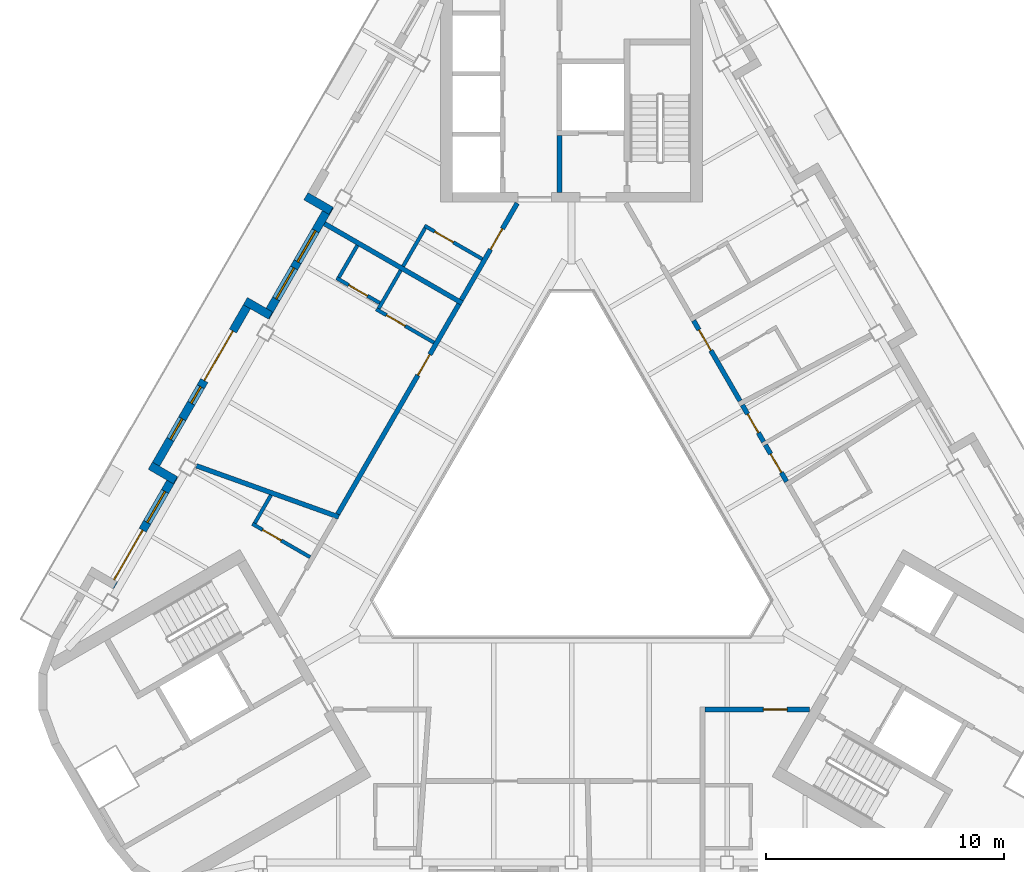
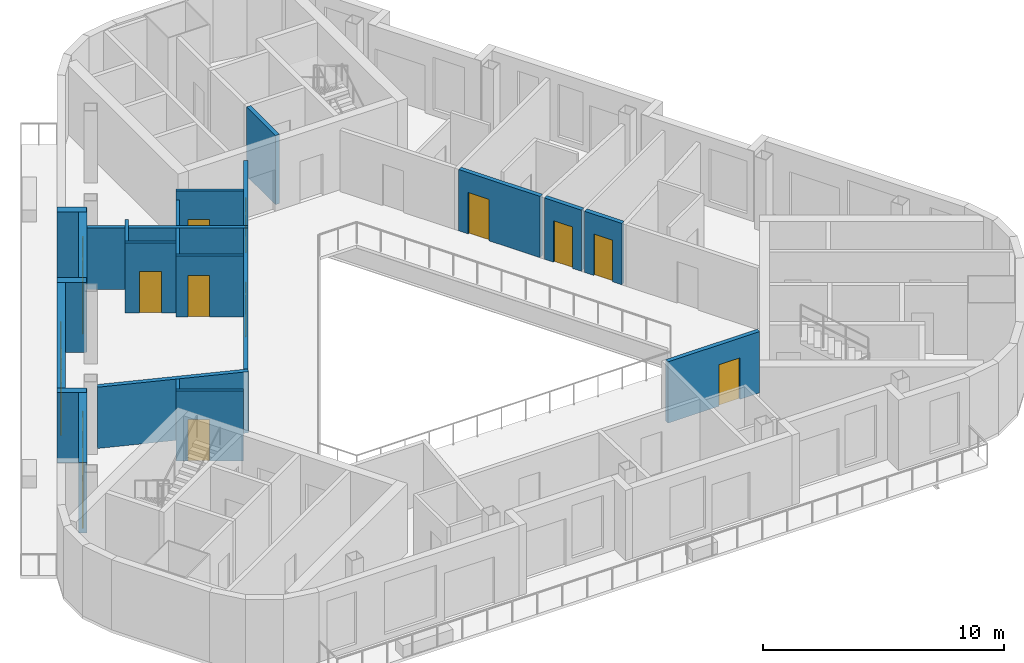
# One storey, part 4 of 11: 23 walls, 12 doors, 5 windows, 17 openings.
"""IFC4 building model written with IfcOpenShell, lengths in metres."""

import ifcopenshell
import ifcopenshell.guid

model = None  # the IFC model being written
_history = None  # IfcOwnerHistory: only IFC2X3 demands one
_inside = {}  # id of a spatial element -> (the spatial element, [elements in it])
_under = {}  # id of a project, library or spatial element -> (it, [spatial elements below it])
_declared = {}  # id of a project -> (the project, [libraries it declares])
_typed = {}  # id of a type object -> (the type object, [elements of that type])
_made_of = {}  # id of a material, layer set ... -> (it, [elements and type objects made of it])


def new_model(schema):
    """Start an empty IFC model of exactly this schema.

    Asked for "IFC4X3", IfcOpenShell would pick the latest addendum, in which some entities
    have other attributes; the version numbers below select the first issue.
    IFC2X3 requires an IfcOwnerHistory on every rooted entity: one is made here for all.
    """
    global model, _history
    if schema == "IFC4X3":
        model = ifcopenshell.file(schema_version=(4, 3, 0, 0))
    else:
        model = ifcopenshell.file(schema=schema)
    _inside.clear()
    _under.clear()
    _declared.clear()
    _typed.clear()
    _made_of.clear()
    _history = None
    if model.schema == "IFC2X3":
        org = make("IfcOrganization", Name="unknown")
        user = make(
            "IfcPersonAndOrganization",
            ThePerson=make("IfcPerson", FamilyName="unknown"),
            TheOrganization=org,
        )
        app = make(
            "IfcApplication",
            ApplicationDeveloper=org,
            Version="unknown",
            ApplicationFullName="unknown",
            ApplicationIdentifier="unknown",
        )
        _history = make(
            "IfcOwnerHistory",
            OwningUser=user,
            OwningApplication=app,
            ChangeAction="ADDED",
            CreationDate=0,
        )
    return model


def make(cls, **values):
    """One entity of the class cls with the attributes given. An attribute that is None is left unset."""
    return model.create_entity(
        cls, **{name: value for name, value in values.items() if value is not None}
    )


def rooted(cls, **values):
    """An entity with a GlobalId (a new one), such as an element, a storey or a relation."""
    return make(cls, GlobalId=ifcopenshell.guid.new(), OwnerHistory=_history, **values)


def si_unit(unit_type, name, prefix=None):
    """IfcSIUnit, for example si_unit("LENGTHUNIT", "METRE", prefix="MILLI")."""
    return make("IfcSIUnit", UnitType=unit_type, Prefix=prefix, Name=name)


def assignment(units):
    """IfcUnitAssignment: the units of a project."""
    return None if units is None else make("IfcUnitAssignment", Units=units)


def point(xyz):
    """IfcCartesianPoint."""
    return None if xyz is None else make("IfcCartesianPoint", Coordinates=xyz)


def direction(xyz):
    """IfcDirection."""
    return None if xyz is None else make("IfcDirection", DirectionRatios=xyz)


def frame(location, z_axis=None, x_axis=None):
    """IfcAxis2Placement3D, a coordinate frame: its origin and axes. An axis left out is left unset."""
    return make(
        "IfcAxis2Placement3D",
        Location=point(location),
        Axis=direction(z_axis),
        RefDirection=direction(x_axis),
    )


def frame_2d(location, x_axis=None):
    """IfcAxis2Placement2D, a coordinate frame in the plane: its origin and x axis."""
    return make(
        "IfcAxis2Placement2D", Location=point(location), RefDirection=direction(x_axis)
    )


def origin():
    """The frame at (0, 0, 0) with its axes left unset."""
    return frame((0.0, 0.0, 0.0))


def place(relative_to, where):
    """IfcLocalPlacement: puts the frame where relative to a parent placement (None: the world)."""
    return make(
        "IfcLocalPlacement", PlacementRelTo=relative_to, RelativePlacement=where
    )


def context(
    kind, dimensions, precision=None, world=None, true_north=None, identifier=None
):
    """IfcGeometricRepresentationContext, for example the 3D "Model" context."""
    return make(
        "IfcGeometricRepresentationContext",
        ContextIdentifier=identifier,
        ContextType=kind,
        CoordinateSpaceDimension=dimensions,
        Precision=precision,
        WorldCoordinateSystem=world,
        TrueNorth=true_north,
    )


def subcontext(parent, identifier, kind, view, scale=None):
    """IfcGeometricRepresentationSubContext, for example "Body" below "Model"."""
    return make(
        "IfcGeometricRepresentationSubContext",
        ContextIdentifier=identifier,
        ContextType=kind,
        ParentContext=parent,
        TargetScale=scale,
        TargetView=view,
    )


def project(units=None, contexts=None):
    """IfcProject with its units and contexts."""
    return rooted(
        "IfcProject",
        Name="project",
        RepresentationContexts=contexts,
        UnitsInContext=assignment(units),
    )


def spatial(cls, under=None, at=None, **own):
    """A site, building, storey or space (cls), placed at a placement, below another one or the project."""
    s = rooted(cls, ObjectPlacement=at, **own)
    if under is not None:
        _under.setdefault(under.id(), (under, []))[1].append(s)
    return s


def profile(cls, at=None, kind="AREA", **sizes):
    """A parametric profile (cls). Its sizes go by their IFC names, for example OverallWidth=200.0."""
    return make(cls, ProfileType=kind, Position=at, **sizes)


def rectangle(**sizes):
    """IfcRectangleProfileDef."""
    return profile("IfcRectangleProfileDef", **sizes)


def extrude(swept, where, along, depth):
    """IfcExtrudedAreaSolid: the profile swept, set in the frame where, extruded along a direction by depth."""
    return make(
        "IfcExtrudedAreaSolid",
        SweptArea=swept,
        Position=where,
        ExtrudedDirection=direction(along),
        Depth=depth,
    )


def shape(context_of_items, identifier, shape_type, items):
    """IfcShapeRepresentation: the items that make up one representation, for example the "Body"."""
    return make(
        "IfcShapeRepresentation",
        ContextOfItems=context_of_items,
        RepresentationIdentifier=identifier,
        RepresentationType=shape_type,
        Items=items,
    )


def material(Name=None, Category=None):
    """IfcMaterial."""
    return make("IfcMaterial", Name=Name, Category=Category)


def layer(
    of_material, thickness, ventilated=None, Name=None, Category=None, Priority=None
):
    """IfcMaterialLayer: one layer of a wall or slab, of a material (None: an air gap)."""
    return make(
        "IfcMaterialLayer",
        Material=of_material,
        LayerThickness=thickness,
        IsVentilated=ventilated,
        Name=Name,
        Category=Category,
        Priority=Priority,
    )


def layer_set(layers, Name=None):
    """IfcMaterialLayerSet."""
    return make("IfcMaterialLayerSet", MaterialLayers=layers, LayerSetName=Name)


def made_of(thing, what):
    """Note that an element or type object is made of a material, layer set ...; save() writes the relation."""
    if what is not None:
        _made_of.setdefault(what.id(), (what, []))[1].append(thing)
    return thing


def type_object(cls, material=None, **own):
    """A type object (cls), such as IfcWallType, which elements share."""
    return made_of(rooted(cls, **own), material)


def element(
    cls,
    number,
    at=None,
    inside=None,
    cuts=None,
    type_object=None,
    material=None,
    context=None,
    identifier="Body",
    shape_type=None,
    held_by="IfcProductDefinitionShape",
    body=None,
    shapes=None,
    **own,
):
    """One element of the class cls, such as IfcWall. Its Tag is "e" and its number.

    at: its placement. inside: the storey or other place that contains it. cuts: it is an
    opening in that element (IfcRelVoidsElement). A single representation is given by context,
    identifier, shape_type and body (its items); several are given by shapes. held_by: the class
    of the entity that holds the representations. save() writes the other relations.
    """
    e = rooted(cls, Tag="e%d" % number, ObjectPlacement=at, **own)
    if body is not None:
        shapes = [shape(context, identifier, shape_type, body)]
    if shapes is not None:
        e.Representation = make(held_by, Representations=shapes)
    if inside is not None:
        _inside.setdefault(inside.id(), (inside, []))[1].append(e)
    if cuts is not None:
        rooted(
            "IfcRelVoidsElement", RelatingBuildingElement=cuts, RelatedOpeningElement=e
        )
    if type_object is not None:
        _typed.setdefault(type_object.id(), (type_object, []))[1].append(e)
    return made_of(e, material)


def fill(opening, filler):
    """IfcRelFillsElement: the door or window that sits in an opening."""
    return rooted(
        "IfcRelFillsElement",
        RelatingOpeningElement=opening,
        RelatedBuildingElement=filler,
    )


def aggregate(whole, parts):
    """IfcRelAggregates: a whole, such as a stair, and the parts it consists of."""
    return rooted("IfcRelAggregates", RelatingObject=whole, RelatedObjects=parts)


def save(model, path):
    """Write the relations noted so far, then the file.

    IfcRelAggregates (storeys below a building ...), IfcRelContainedInSpatialStructure (elements
    in a storey), IfcRelDefinesByType, IfcRelAssociatesMaterial and IfcRelDeclares: one each for
    every whole, place, type object, material and project.
    """
    for whole, parts in _under.values():
        aggregate(whole, parts)
    for where, things in _inside.values():
        rooted(
            "IfcRelContainedInSpatialStructure",
            RelatedElements=things,
            RelatingStructure=where,
        )
    for kind, things in _typed.values():
        rooted("IfcRelDefinesByType", RelatedObjects=things, RelatingType=kind)
    for what, things in _made_of.values():
        rooted("IfcRelAssociatesMaterial", RelatedObjects=things, RelatingMaterial=what)
    for by, libraries in _declared.values():
        rooted("IfcRelDeclares", RelatingContext=by, RelatedDefinitions=libraries)
    model.write(path)


model = new_model("IFC4")

# Units and contexts
model_context = context("Model", 3, precision=1e-05, world=origin(), true_north=direction((0.0, 1.0)))
body_context = subcontext(model_context, "Body", "Model", "MODEL_VIEW")
ifc_project = project(units=[si_unit("LENGTHUNIT", "METRE"), si_unit("AREAUNIT", "SQUARE_METRE"), si_unit("VOLUMEUNIT", "CUBIC_METRE"), si_unit("PLANEANGLEUNIT", "RADIAN"), si_unit("MASSUNIT", "GRAM", prefix="KILO")], contexts=[model_context])

# Site, building, storey
site_placement = place(None, origin())
site = spatial("IfcSite", under=ifc_project, at=site_placement, CompositionType="ELEMENT")
building_placement = place(site_placement, origin())
building = spatial("IfcBuilding", under=site, at=building_placement, Name="Apuvela Tower Hotel", CompositionType="ELEMENT")
storey_placement = place(building_placement, frame((0.0, 0.0, 317.0)))
storey = spatial("IfcBuildingStorey", under=building, at=storey_placement, Name="L79", CompositionType="ELEMENT", Elevation=317.0)

# Walls
ifc_material_1 = material(Name="Concrete C50/60", Category="concrete")
ifc_layer_1 = layer(ifc_material_1, 0.199951171875)
ifc_layer_set_1 = layer_set([ifc_layer_1], Name="COR-WALL-SHAFT-200")
wall_type_1 = type_object("IfcWallType", Name="COR-WALL-SHAFT-200", PredefinedType="SHEAR", material=ifc_layer_set_1)
wall_1_placement = place(storey_placement, frame((-0.5, 13.300048828125, 0.0), z_axis=(0.0, 0.0, 1.0), x_axis=(0.0, 1.0, 0.0)))
element("IfcWall", 1, at=wall_1_placement, inside=storey, type_object=wall_type_1, Name="Shaft wall N", PredefinedType="SHEAR", context=body_context, shape_type="SweptSolid", body=[
    extrude(rectangle(XDim=2.39990234375, YDim=0.199951171875, at=frame_2d((1.199951171875, 0.0))), origin(), (0.0, 0.0, 1.0), 3.5),
])
ifc_material_2 = material(Name="Concrete C40/50, dark pigmented precast panel", Category="concrete")
ifc_layer_2 = layer(ifc_material_2, 0.35009765625)
ifc_layer_set_2 = layer_set([ifc_layer_2], Name="ENV-WALL-350")
wall_type_2 = type_object("IfcWallType", Name="ENV-WALL-350", PredefinedType="SOLIDWALL", material=ifc_layer_set_2)
wall_2_placement = place(storey_placement, frame((-11.150634765625, 13.1416015625, 0.0), z_axis=(0.0, 0.0, 1.0), x_axis=(0.866005645448, -0.500034220881, 0.0)))
element("IfcWall", 2, at=wall_2_placement, inside=storey, type_object=wall_type_2, Name="External wall L79-02", PredefinedType="SOLIDWALL", context=body_context, shape_type="SweptSolid", body=[
    extrude(rectangle(XDim=1.22021484375, YDim=0.35009765625, at=frame_2d((0.610107421875, 0.0))), origin(), (0.0, 0.0, 1.0), 3.550048828125),
])

# Wall, openings, windows
wall_3_placement = place(storey_placement, frame((-10.147216796875, 12.729736328125, 0.0), z_axis=(0.0, 0.0, 1.0), x_axis=(-0.499996591357, -0.866027371756, 0.0)))
wall_3 = element("IfcWall", 3, at=wall_3_placement, inside=storey, type_object=wall_type_2, Name="External wall L79-03", PredefinedType="SOLIDWALL", context=body_context, shape_type="SweptSolid", body=[
    extrude(rectangle(XDim=5.37060546875, YDim=0.35009765625, at=frame_2d((2.685302734375, 0.0))), origin(), (0.0, 0.0, 1.0), 3.550048828125),
])
opening_1_placement = place(wall_3_placement, frame((1.200927734375, 0.0, 0.300048828125)))
opening_1 = element("IfcOpeningElement", 4, at=opening_1_placement, cuts=wall_3, Name="Opening WN15", PredefinedType="OPENING", context=body_context, shape_type="SweptSolid", body=[
    extrude(rectangle(XDim=1.5, YDim=2.64990234375, at=frame_2d((0.75, 1.324951171875))), frame((0.0, 0.18505859375, 0.0), z_axis=(0.0, -1.0, 0.0), x_axis=(1.0, 0.0, 0.0)), (0.0, 0.0, 1.0), 0.3701171875),
])
opening_2_placement = place(wall_3_placement, frame((3.0009765625, 0.0, 0.300048828125)))
opening_2 = element("IfcOpeningElement", 5, at=opening_2_placement, cuts=wall_3, Name="Opening WN15", PredefinedType="OPENING", context=body_context, shape_type="SweptSolid", body=[
    extrude(rectangle(XDim=1.5, YDim=2.64990234375, at=frame_2d((0.75, 1.324951171875))), frame((0.0, 0.18505859375, 0.0), z_axis=(0.0, -1.0, 0.0), x_axis=(1.0, 0.0, 0.0)), (0.0, 0.0, 1.0), 0.3701171875),
])
ifc_material_3 = material(Name="Glass, dark tinted laminated insulated glazing unit", Category="glass")
window_type_1 = type_object("IfcWindowType", Name="ENV-WIN-1500x2650", PartitioningType="SINGLE_PANEL", PredefinedType="WINDOW", material=ifc_material_3)
window_1_placement = place(opening_1_placement, origin())
window_1 = element("IfcWindow", 6, at=window_1_placement, inside=storey, type_object=window_type_1, Name="Window WN15", OverallHeight=2.64990234375, OverallWidth=1.5, PartitioningType="SINGLE_PANEL", PredefinedType="WINDOW", context=body_context, shape_type="SweptSolid", body=[
    extrude(rectangle(XDim=1.5, YDim=2.64990234375, at=frame_2d((0.75, 1.324951171875))), frame((0.0, 0.030029296875, 0.0), z_axis=(0.0, -1.0, 0.0), x_axis=(1.0, 0.0, 0.0)), (0.0, 0.0, 1.0), 0.06005859375),
])
fill(opening_1, window_1)
window_2_placement = place(opening_2_placement, origin())
window_2 = element("IfcWindow", 7, at=window_2_placement, inside=storey, type_object=window_type_1, Name="Window WN15", OverallHeight=2.64990234375, OverallWidth=1.5, PartitioningType="SINGLE_PANEL", PredefinedType="WINDOW", context=body_context, shape_type="SweptSolid", body=[
    extrude(rectangle(XDim=1.5, YDim=2.64990234375, at=frame_2d((0.75, 1.324951171875))), frame((0.0, 0.030029296875, 0.0), z_axis=(0.0, -1.0, 0.0), x_axis=(1.0, 0.0, 0.0)), (0.0, 0.0, 1.0), 0.06005859375),
])
fill(opening_2, window_2)

# Wall
wall_4_placement = place(storey_placement, frame((-12.63427734375, 8.131591796875, 0.0), z_axis=(0.0, 0.0, 1.0), x_axis=(-0.866005645448, 0.500034220881, 0.0)))
element("IfcWall", 8, at=wall_4_placement, inside=storey, type_object=wall_type_2, Name="External wall L79-04", PredefinedType="SOLIDWALL", context=body_context, shape_type="SweptSolid", body=[
    extrude(rectangle(XDim=1.22021484375, YDim=0.35009765625, at=frame_2d((0.610107421875, 0.0))), origin(), (0.0, 0.0, 1.0), 3.550048828125),
])

# Wall, openings, door, windows
wall_5_placement = place(storey_placement, frame((-13.451904296875, 8.8056640625, 0.0), z_axis=(0.0, 0.0, 1.0), x_axis=(-0.499993893925, -0.8660289291, 0.0)))
wall_5 = element("IfcWall", 9, at=wall_5_placement, inside=storey, type_object=wall_type_2, Name="External wall L79-05", PredefinedType="SOLIDWALL", context=body_context, shape_type="SweptSolid", body=[
    extrude(rectangle(XDim=8.33056640625, YDim=0.35009765625, at=frame_2d((4.165283203125, 0.0))), origin(), (0.0, 0.0, 1.0), 3.550048828125),
])
opening_3_placement = place(wall_5_placement, frame((1.525390625, 0.0, 0.0)))
opening_3 = element("IfcOpeningElement", 10, at=opening_3_placement, cuts=wall_5, Name="Opening BD24", PredefinedType="OPENING", context=body_context, shape_type="SweptSolid", body=[
    extrude(rectangle(XDim=2.39990234375, YDim=2.39990234375, at=frame_2d((1.199951171875, 1.199951171875))), frame((0.0, 0.18505859375, 0.0), z_axis=(0.0, -1.0, 0.0), x_axis=(1.0, 0.0, 0.0)), (0.0, 0.0, 1.0), 0.3701171875),
])
opening_4_placement = place(wall_5_placement, frame((4.225341796875, 0.0, 0.300048828125)))
opening_4 = element("IfcOpeningElement", 11, at=opening_4_placement, cuts=wall_5, Name="Opening WN08", PredefinedType="OPENING", context=body_context, shape_type="SweptSolid", body=[
    extrude(rectangle(XDim=0.800048828125, YDim=2.64990234375, at=frame_2d((0.39990234375, 1.324951171875))), frame((0.0, 0.18505859375, 0.0), z_axis=(0.0, -1.0, 0.0), x_axis=(1.0, 0.0, 0.0)), (0.0, 0.0, 1.0), 0.3701171875),
])
opening_5_placement = place(wall_5_placement, frame((5.77880859375, 0.0, 0.300048828125)))
opening_5 = element("IfcOpeningElement", 12, at=opening_5_placement, cuts=wall_5, Name="Opening WN10", PredefinedType="OPENING", context=body_context, shape_type="SweptSolid", body=[
    extrude(rectangle(XDim=1.0, YDim=2.64990234375, at=frame_2d((0.5, 1.324951171875))), frame((0.0, 0.18505859375, 0.0), z_axis=(0.0, -1.0, 0.0), x_axis=(1.0, 0.0, 0.0)), (0.0, 0.0, 1.0), 0.3701171875),
])
ifc_material_4 = material(Name="Aluminium 6063-T6, dark bronze anodised frame with dark tinted laminated glass", Category="aluminium")
door_type_1 = type_object("IfcDoorType", Name="ENV-DOOR-BALCONY-2400x2400", OperationType="SLIDING_TO_LEFT", PredefinedType="DOOR", material=ifc_material_4)
door_1_placement = place(opening_3_placement, frame((2.39990234375, 0.0, 0.0), z_axis=(0.0, 0.0, 1.0), x_axis=(-1.0, 0.0, 0.0)))
door_1 = element("IfcDoor", 13, at=door_1_placement, inside=storey, type_object=door_type_1, Name="Balcony door BD24", OperationType="SLIDING_TO_LEFT", OverallHeight=2.39990234375, OverallWidth=2.39990234375, PredefinedType="DOOR", context=body_context, shape_type="SweptSolid", body=[
    extrude(rectangle(XDim=2.39990234375, YDim=2.39990234375, at=frame_2d((1.199951171875, 1.199951171875))), frame((0.0, 0.02490234375, 0.0), z_axis=(0.0, -1.0, 0.0), x_axis=(1.0, 0.0, 0.0)), (0.0, 0.0, 1.0), 0.050048828125),
])
fill(opening_3, door_1)
window_type_2 = type_object("IfcWindowType", Name="ENV-WIN-1000x2650", PartitioningType="SINGLE_PANEL", PredefinedType="WINDOW", material=ifc_material_3)
window_3_placement = place(opening_5_placement, origin())
window_3 = element("IfcWindow", 14, at=window_3_placement, inside=storey, type_object=window_type_2, Name="Window WN10", OverallHeight=2.64990234375, OverallWidth=1.0, PartitioningType="SINGLE_PANEL", PredefinedType="WINDOW", context=body_context, shape_type="SweptSolid", body=[
    extrude(rectangle(XDim=1.0, YDim=2.64990234375, at=frame_2d((0.5, 1.324951171875))), frame((0.0, 0.030029296875, 0.0), z_axis=(0.0, -1.0, 0.0), x_axis=(1.0, 0.0, 0.0)), (0.0, 0.0, 1.0), 0.06005859375),
])
fill(opening_5, window_3)
window_type_3 = type_object("IfcWindowType", Name="ENV-WIN-800x2650", PartitioningType="SINGLE_PANEL", PredefinedType="WINDOW", material=ifc_material_3)
window_4_placement = place(opening_4_placement, origin())
window_4 = element("IfcWindow", 15, at=window_4_placement, inside=storey, type_object=window_type_3, Name="Window WN08", OverallHeight=2.64990234375, OverallWidth=0.800048828125, PartitioningType="SINGLE_PANEL", PredefinedType="WINDOW", context=body_context, shape_type="SweptSolid", body=[
    extrude(rectangle(XDim=0.800048828125, YDim=2.64990234375, at=frame_2d((0.39990234375, 1.324951171875))), frame((0.0, 0.030029296875, 0.0), z_axis=(0.0, -1.0, 0.0), x_axis=(1.0, 0.0, 0.0)), (0.0, 0.0, 1.0), 0.06005859375),
])
fill(opening_4, window_4)

# Wall
wall_6_placement = place(storey_placement, frame((-17.68115234375, 1.830078125, 0.0), z_axis=(0.0, 0.0, 1.0), x_axis=(0.866092288191, -0.499884134912, 0.0)))
element("IfcWall", 16, at=wall_6_placement, inside=storey, type_object=wall_type_2, Name="External wall L79-06", PredefinedType="SOLIDWALL", context=body_context, shape_type="SweptSolid", body=[
    extrude(rectangle(XDim=1.219970703125, YDim=0.35009765625, at=frame_2d((0.60986328125, 0.0))), origin(), (0.0, 0.0, 1.0), 3.550048828125),
])

# Wall, openings, door, window
wall_7_placement = place(storey_placement, frame((-16.677734375, 1.418212890625, 0.0), z_axis=(0.0, 0.0, 1.0), x_axis=(-0.499996591357, -0.866027371756, 0.0)))
wall_7 = element("IfcWall", 17, at=wall_7_placement, inside=storey, type_object=wall_type_2, Name="External wall L79-07", PredefinedType="SOLIDWALL", context=body_context, shape_type="SweptSolid", body=[
    extrude(rectangle(XDim=5.37060546875, YDim=0.35009765625, at=frame_2d((2.685302734375, 0.0))), origin(), (0.0, 0.0, 1.0), 3.550048828125),
])
opening_6_placement = place(wall_7_placement, frame((2.65087890625, 0.0, 0.0)))
opening_6 = element("IfcOpeningElement", 18, at=opening_6_placement, cuts=wall_7, Name="Opening BD24", PredefinedType="OPENING", context=body_context, shape_type="SweptSolid", body=[
    extrude(rectangle(XDim=2.39990234375, YDim=2.39990234375, at=frame_2d((1.199951171875, 1.199951171875))), frame((0.0, 0.18505859375, 0.0), z_axis=(0.0, -1.0, 0.0), x_axis=(1.0, 0.0, 0.0)), (0.0, 0.0, 1.0), 0.3701171875),
])
opening_7_placement = place(wall_7_placement, frame((0.77001953125, 0.0, 0.300048828125)))
opening_7 = element("IfcOpeningElement", 19, at=opening_7_placement, cuts=wall_7, Name="Opening WN15", PredefinedType="OPENING", context=body_context, shape_type="SweptSolid", body=[
    extrude(rectangle(XDim=1.5, YDim=2.64990234375, at=frame_2d((0.75, 1.324951171875))), frame((0.0, 0.18505859375, 0.0), z_axis=(0.0, -1.0, 0.0), x_axis=(1.0, 0.0, 0.0)), (0.0, 0.0, 1.0), 0.3701171875),
])
door_2_placement = place(opening_6_placement, frame((2.39990234375, 0.0, 0.0), z_axis=(0.0, 0.0, 1.0), x_axis=(-1.0, 0.0, 0.0)))
door_2 = element("IfcDoor", 20, at=door_2_placement, inside=storey, type_object=door_type_1, Name="Balcony door BD24", OperationType="SLIDING_TO_LEFT", OverallHeight=2.39990234375, OverallWidth=2.39990234375, PredefinedType="DOOR", context=body_context, shape_type="SweptSolid", body=[
    extrude(rectangle(XDim=2.39990234375, YDim=2.39990234375, at=frame_2d((1.199951171875, 1.199951171875))), frame((0.0, 0.02490234375, 0.0), z_axis=(0.0, -1.0, 0.0), x_axis=(1.0, 0.0, 0.0)), (0.0, 0.0, 1.0), 0.050048828125),
])
fill(opening_6, door_2)
window_5_placement = place(opening_7_placement, origin())
window_5 = element("IfcWindow", 21, at=window_5_placement, inside=storey, type_object=window_type_1, Name="Window WN15", OverallHeight=2.64990234375, OverallWidth=1.5, PartitioningType="SINGLE_PANEL", PredefinedType="WINDOW", context=body_context, shape_type="SweptSolid", body=[
    extrude(rectangle(XDim=1.5, YDim=2.64990234375, at=frame_2d((0.75, 1.324951171875))), frame((0.0, 0.030029296875, 0.0), z_axis=(0.0, -1.0, 0.0), x_axis=(1.0, 0.0, 0.0)), (0.0, 0.0, 1.0), 0.06005859375),
])
fill(opening_7, window_5)

# Walls
ifc_material_5 = material(Name="Gypsum board partition on twin steel stud", Category="steel")
ifc_layer_3 = layer(ifc_material_5, 0.199951171875)
ifc_layer_set_3 = layer_set([ifc_layer_3], Name="GST-PW1")
wall_type_3 = type_object("IfcWallType", Name="GST-PW1", PredefinedType="PARTITIONING", material=ifc_layer_set_3)
wall_8_placement = place(storey_placement, frame((-10.370849609375, 11.9921875, 0.0), z_axis=(0.0, 0.0, 1.0), x_axis=(0.866020588255, -0.50000834065, 0.0)))
element("IfcWall", 22, at=wall_8_placement, inside=storey, type_object=wall_type_3, Name="L79 partition 07", PredefinedType="PARTITIONING", context=body_context, shape_type="SweptSolid", body=[
    extrude(rectangle(XDim=6.677734375, YDim=0.199951171875, at=frame_2d((3.3388671875, 0.0))), origin(), (0.0, 0.0, 1.0), 3.10009765625),
])
wall_9_placement = place(storey_placement, frame((-15.74853515625, 1.827392578125, 0.0), z_axis=(0.0, 0.0, 1.0), x_axis=(0.941030372408, -0.3383220924, 0.0)))
element("IfcWall", 23, at=wall_9_placement, inside=storey, type_object=wall_type_3, Name="L79 partition 08", PredefinedType="PARTITIONING", context=body_context, shape_type="SweptSolid", body=[
    extrude(rectangle(XDim=6.353271484375, YDim=0.199951171875, at=frame_2d((3.1767578125, 0.0))), origin(), (0.0, 0.0, 1.0), 3.10009765625),
])

# Wall, opening, door
ifc_material_6 = material(Name="Gypsum board corridor wall on twin steel stud, acoustic", Category="steel")
ifc_layer_4 = layer(ifc_material_6, 0.199951171875)
ifc_layer_set_4 = layer_set([ifc_layer_4], Name="GST-PW2")
wall_type_4 = type_object("IfcWallType", Name="GST-PW2", PredefinedType="PARTITIONING", material=ifc_layer_set_4)
wall_10_placement = place(storey_placement, frame((9.98828125, -8.39990234375, 0.0), z_axis=(0.0, 0.0, 1.0), x_axis=(-1.0, 0.0, 0.0)))
wall_10 = element("IfcWall", 24, at=wall_10_placement, inside=storey, type_object=wall_type_4, Name="L79 partition 15", PredefinedType="PARTITIONING", context=body_context, shape_type="SweptSolid", body=[
    extrude(rectangle(XDim=4.38818359375, YDim=0.199951171875, at=frame_2d((2.194091796875, 0.0))), origin(), (0.0, 0.0, 1.0), 3.10009765625),
])
opening_8_placement = place(wall_10_placement, frame((0.938232421875, 0.0, 0.0)))
opening_8 = element("IfcOpeningElement", 25, at=opening_8_placement, cuts=wall_10, Name="Opening GD33-06", PredefinedType="OPENING", context=body_context, shape_type="SweptSolid", body=[
    extrude(rectangle(XDim=1.0, YDim=2.10009765625, at=frame_2d((0.5, 1.050048828125))), frame((0.0, 0.10986328125, 0.0), z_axis=(0.0, -1.0, 0.0), x_axis=(1.0, 0.0, 0.0)), (0.0, 0.0, 1.0), 0.219970703125),
])
ifc_material_7 = material(Name="Timber door leaf in steel frame", Category="steel")
door_type_2 = type_object("IfcDoorType", Name="GST-D1", OperationType="NOTDEFINED", PredefinedType="DOOR", material=ifc_material_7)
door_3_placement = place(opening_8_placement, origin())
door_3 = element("IfcDoor", 26, at=door_3_placement, inside=storey, type_object=door_type_2, Name="Door L79-06", OperationType="SINGLE_SWING_LEFT", OverallHeight=2.10009765625, OverallWidth=1.0, PredefinedType="DOOR", context=body_context, shape_type="SweptSolid", body=[
    extrude(rectangle(XDim=1.0, YDim=2.10009765625, at=frame_2d((0.5, 1.050048828125))), frame((0.0, 0.02490234375, 0.0), z_axis=(0.0, -1.0, 0.0), x_axis=(1.0, 0.0, 0.0)), (0.0, 0.0, 1.0), 0.050048828125),
])
fill(opening_8, door_3)

wall_11_placement = place(storey_placement, frame((8.13720703125, 2.705810546875, 0.0), z_axis=(0.0, 0.0, 1.0), x_axis=(0.500035243338, -0.866005055078, 0.0)))
wall_11 = element("IfcWall", 27, at=wall_11_placement, inside=storey, type_object=wall_type_4, Name="L79 partition 23", PredefinedType="PARTITIONING", context=body_context, shape_type="SweptSolid", body=[
    extrude(rectangle(XDim=1.779052734375, YDim=0.199951171875, at=frame_2d((0.8896484375, 0.0))), origin(), (0.0, 0.0, 1.0), 3.10009765625),
])
opening_9_placement = place(wall_11_placement, frame((0.439697265625, 0.0, 0.0)))
opening_9 = element("IfcOpeningElement", 28, at=opening_9_placement, cuts=wall_11, Name="Opening GD33-09", PredefinedType="OPENING", context=body_context, shape_type="SweptSolid", body=[
    extrude(rectangle(XDim=0.89990234375, YDim=2.10009765625, at=frame_2d((0.449951171875, 1.050048828125))), frame((0.0, 0.10986328125, 0.0), z_axis=(0.0, -1.0, 0.0), x_axis=(1.0, 0.0, 0.0)), (0.0, 0.0, 1.0), 0.219970703125),
])
door_type_3 = type_object("IfcDoorType", Name="GST-D2", OperationType="NOTDEFINED", PredefinedType="DOOR", material=ifc_material_7)
door_4_placement = place(opening_9_placement, origin())
door_4 = element("IfcDoor", 29, at=door_4_placement, inside=storey, type_object=door_type_3, Name="Door L79-09", OperationType="SINGLE_SWING_LEFT", OverallHeight=2.10009765625, OverallWidth=0.89990234375, PredefinedType="DOOR", context=body_context, shape_type="SweptSolid", body=[
    extrude(rectangle(XDim=0.89990234375, YDim=2.10009765625, at=frame_2d((0.449951171875, 1.050048828125))), frame((0.0, 0.02490234375, 0.0), z_axis=(0.0, -1.0, 0.0), x_axis=(1.0, 0.0, 0.0)), (0.0, 0.0, 1.0), 0.050048828125),
])
fill(opening_9, door_4)

wall_12_placement = place(storey_placement, frame((7.172607421875, 4.376708984375, 0.0), z_axis=(0.0, 0.0, 1.0), x_axis=(0.499975827765, -0.866039359181, 0.0)))
wall_12 = element("IfcWall", 30, at=wall_12_placement, inside=storey, type_object=wall_type_4, Name="L79 partition 24", PredefinedType="PARTITIONING", context=body_context, shape_type="SweptSolid", body=[
    extrude(rectangle(XDim=1.779296875, YDim=0.199951171875, at=frame_2d((0.8896484375, 0.0))), origin(), (0.0, 0.0, 1.0), 3.10009765625),
])
opening_10_placement = place(wall_12_placement, frame((0.439697265625, 0.0, 0.0)))
opening_10 = element("IfcOpeningElement", 31, at=opening_10_placement, cuts=wall_12, Name="Opening GD33-10", PredefinedType="OPENING", context=body_context, shape_type="SweptSolid", body=[
    extrude(rectangle(XDim=0.89990234375, YDim=2.10009765625, at=frame_2d((0.449951171875, 1.050048828125))), frame((0.0, 0.10986328125, 0.0), z_axis=(0.0, -1.0, 0.0), x_axis=(1.0, 0.0, 0.0)), (0.0, 0.0, 1.0), 0.219970703125),
])
door_5_placement = place(opening_10_placement, origin())
door_5 = element("IfcDoor", 32, at=door_5_placement, inside=storey, type_object=door_type_3, Name="Door L79-10", OperationType="SINGLE_SWING_RIGHT", OverallHeight=2.10009765625, OverallWidth=0.89990234375, PredefinedType="DOOR", context=body_context, shape_type="SweptSolid", body=[
    extrude(rectangle(XDim=0.89990234375, YDim=2.10009765625, at=frame_2d((0.449951171875, 1.050048828125))), frame((0.0, 0.02490234375, 0.0), z_axis=(0.0, -1.0, 0.0), x_axis=(1.0, 0.0, 0.0)), (0.0, 0.0, 1.0), 0.050048828125),
])
fill(opening_10, door_5)

wall_13_placement = place(storey_placement, frame((5.12451171875, 7.923828125, 0.0), z_axis=(0.0, 0.0, 1.0), x_axis=(0.500028041952, -0.866009213151, 0.0)))
wall_13 = element("IfcWall", 33, at=wall_13_placement, inside=storey, type_object=wall_type_4, Name="L79 partition 25", PredefinedType="PARTITIONING", context=body_context, shape_type="SweptSolid", body=[
    extrude(rectangle(XDim=3.895751953125, YDim=0.199951171875, at=frame_2d((1.94775390625, 0.0))), origin(), (0.0, 0.0, 1.0), 3.10009765625),
])
opening_11_placement = place(wall_13_placement, frame((0.449951171875, 0.0, 0.0)))
opening_11 = element("IfcOpeningElement", 34, at=opening_11_placement, cuts=wall_13, Name="Opening GD33-12", PredefinedType="OPENING", context=body_context, shape_type="SweptSolid", body=[
    extrude(rectangle(XDim=1.0, YDim=2.10009765625, at=frame_2d((0.5, 1.050048828125))), frame((0.0, 0.10986328125, 0.0), z_axis=(0.0, -1.0, 0.0), x_axis=(1.0, 0.0, 0.0)), (0.0, 0.0, 1.0), 0.219970703125),
])
door_6_placement = place(opening_11_placement, origin())
door_6 = element("IfcDoor", 35, at=door_6_placement, inside=storey, type_object=door_type_2, Name="Door L79-12", OperationType="SINGLE_SWING_LEFT", OverallHeight=2.10009765625, OverallWidth=1.0, PredefinedType="DOOR", context=body_context, shape_type="SweptSolid", body=[
    extrude(rectangle(XDim=1.0, YDim=2.10009765625, at=frame_2d((0.5, 1.050048828125))), frame((0.0, 0.02490234375, 0.0), z_axis=(0.0, -1.0, 0.0), x_axis=(1.0, 0.0, 0.0)), (0.0, 0.0, 1.0), 0.050048828125),
])
fill(opening_11, door_6)

wall_14_placement = place(storey_placement, frame((-4.62451171875, 8.789794921875, 0.0), z_axis=(0.0, 0.0, 1.0), x_axis=(0.499964368059, 0.866045974918, 0.0)))
wall_14 = element("IfcWall", 36, at=wall_14_placement, inside=storey, type_object=wall_type_4, Name="L79 partition 31", PredefinedType="PARTITIONING", context=body_context, shape_type="SweptSolid", body=[
    extrude(rectangle(XDim=4.688232421875, YDim=0.199951171875, at=frame_2d((2.34423828125, 0.0))), origin(), (0.0, 0.0, 1.0), 3.10009765625),
])
opening_12_placement = place(wall_14_placement, frame((2.449951171875, 0.0, 0.0)))
opening_12 = element("IfcOpeningElement", 37, at=opening_12_placement, cuts=wall_14, Name="Opening GD33-16", PredefinedType="OPENING", context=body_context, shape_type="SweptSolid", body=[
    extrude(rectangle(XDim=1.0, YDim=2.10009765625, at=frame_2d((0.5, 1.050048828125))), frame((0.0, 0.10986328125, 0.0), z_axis=(0.0, -1.0, 0.0), x_axis=(1.0, 0.0, 0.0)), (0.0, 0.0, 1.0), 0.219970703125),
])
door_7_placement = place(opening_12_placement, origin())
door_7 = element("IfcDoor", 38, at=door_7_placement, inside=storey, type_object=door_type_2, Name="Door L79-16", OperationType="SINGLE_SWING_RIGHT", OverallHeight=2.10009765625, OverallWidth=1.0, PredefinedType="DOOR", context=body_context, shape_type="SweptSolid", body=[
    extrude(rectangle(XDim=1.0, YDim=2.10009765625, at=frame_2d((0.5, 1.050048828125))), frame((0.0, 0.02490234375, 0.0), z_axis=(0.0, -1.0, 0.0), x_axis=(1.0, 0.0, 0.0)), (0.0, 0.0, 1.0), 0.050048828125),
])
fill(opening_12, door_7)

wall_15_placement = place(storey_placement, frame((-9.814697265625, -0.19970703125, 0.0), z_axis=(0.0, 0.0, 1.0), x_axis=(0.499995091154, 0.866028237889, 0.0)))
wall_15 = element("IfcWall", 39, at=wall_15_placement, inside=storey, type_object=wall_type_4, Name="L79 partition 34", PredefinedType="PARTITIONING", context=body_context, shape_type="SweptSolid", body=[
    extrude(rectangle(XDim=10.18017578125, YDim=0.199951171875, at=frame_2d((5.090087890625, 0.0))), origin(), (0.0, 0.0, 1.0), 3.10009765625),
])
opening_13_placement = place(wall_15_placement, frame((6.730224609375, 0.0, 0.0)))
opening_13 = element("IfcOpeningElement", 40, at=opening_13_placement, cuts=wall_15, Name="Opening GD33-19", PredefinedType="OPENING", context=body_context, shape_type="SweptSolid", body=[
    extrude(rectangle(XDim=1.0, YDim=2.10009765625, at=frame_2d((0.5, 1.050048828125))), frame((0.0, 0.10986328125, 0.0), z_axis=(0.0, -1.0, 0.0), x_axis=(1.0, 0.0, 0.0)), (0.0, 0.0, 1.0), 0.219970703125),
])
door_8_placement = place(opening_13_placement, origin())
door_8 = element("IfcDoor", 41, at=door_8_placement, inside=storey, type_object=door_type_2, Name="Door L79-19", OperationType="SINGLE_SWING_LEFT", OverallHeight=2.10009765625, OverallWidth=1.0, PredefinedType="DOOR", context=body_context, shape_type="SweptSolid", body=[
    extrude(rectangle(XDim=1.0, YDim=2.10009765625, at=frame_2d((0.5, 1.050048828125))), frame((0.0, 0.02490234375, 0.0), z_axis=(0.0, -1.0, 0.0), x_axis=(1.0, 0.0, 0.0)), (0.0, 0.0, 1.0), 0.050048828125),
])
fill(opening_13, door_8)

ifc_material_8 = material(Name="Moisture-resistant gypsum board wet wall on steel stud", Category="steel")
ifc_layer_5 = layer(ifc_material_8, 0.14990234375)
ifc_layer_set_5 = layer_set([ifc_layer_5], Name="GST-PW3")
wall_type_5 = type_object("IfcWallType", Name="GST-PW3", PredefinedType="PARTITIONING", material=ifc_layer_set_5)
wall_16_placement = place(storey_placement, frame((-3.748779296875, 10.507080078125, 0.0), z_axis=(0.0, 0.0, 1.0), x_axis=(-0.866034573852, 0.49998411664, 0.0)))
wall_16 = element("IfcWall", 42, at=wall_16_placement, inside=storey, type_object=wall_type_5, Name="L79 partition 32", PredefinedType="PARTITIONING", context=body_context, shape_type="SweptSolid", body=[
    extrude(rectangle(XDim=2.7998046875, YDim=0.14990234375, at=frame_2d((1.39990234375, 0.0))), origin(), (0.0, 0.0, 1.0), 3.550048828125),
])
opening_14_placement = place(wall_16_placement, frame((1.39990234375, 0.0, 0.0)))
opening_14 = element("IfcOpeningElement", 43, at=opening_14_placement, cuts=wall_16, Name="Opening GD33-15", PredefinedType="OPENING", context=body_context, shape_type="SweptSolid", body=[
    extrude(rectangle(XDim=0.89990234375, YDim=2.10009765625, at=frame_2d((0.449951171875, 1.050048828125))), frame((0.0, 0.0849609375, 0.0), z_axis=(0.0, -1.0, 0.0), x_axis=(1.0, 0.0, 0.0)), (0.0, 0.0, 1.0), 0.169921875),
])
door_9_placement = place(opening_14_placement, origin())
door_9 = element("IfcDoor", 44, at=door_9_placement, inside=storey, type_object=door_type_3, Name="Door L79-15", OperationType="SINGLE_SWING_RIGHT", OverallHeight=2.10009765625, OverallWidth=0.89990234375, PredefinedType="DOOR", context=body_context, shape_type="SweptSolid", body=[
    extrude(rectangle(XDim=0.89990234375, YDim=2.10009765625, at=frame_2d((0.449951171875, 1.050048828125))), frame((0.0, 0.02490234375, 0.0), z_axis=(0.0, -1.0, 0.0), x_axis=(1.0, 0.0, 0.0)), (0.0, 0.0, 1.0), 0.050048828125),
])
fill(opening_14, door_9)

# Wall
wall_17_placement = place(storey_placement, frame((-6.14599609375, 11.8046875, 0.0), z_axis=(0.0, 0.0, 1.0), x_axis=(-0.499985172903, -0.866033964044, 0.0)))
element("IfcWall", 45, at=wall_17_placement, inside=storey, type_object=wall_type_5, Name="L79 partition 33", PredefinedType="PARTITIONING", context=body_context, shape_type="SweptSolid", body=[
    extrude(rectangle(XDim=1.85009765625, YDim=0.14990234375, at=frame_2d((0.925048828125, 0.0))), origin(), (0.0, 0.0, 1.0), 3.10009765625),
])

# Wall, opening, door
wall_18_placement = place(storey_placement, frame((-8.198486328125, 8.399658203125, 0.0), z_axis=(0.0, 0.0, 1.0), x_axis=(0.865996816683, -0.500049511043, 0.0)))
wall_18 = element("IfcWall", 46, at=wall_18_placement, inside=storey, type_object=wall_type_5, Name="L79 partition 35", PredefinedType="PARTITIONING", context=body_context, shape_type="SweptSolid", body=[
    extrude(rectangle(XDim=2.800048828125, YDim=0.14990234375, at=frame_2d((1.39990234375, 0.0))), origin(), (0.0, 0.0, 1.0), 3.10009765625),
])
opening_15_placement = place(wall_18_placement, frame((0.5, 0.0, 0.0)))
opening_15 = element("IfcOpeningElement", 47, at=opening_15_placement, cuts=wall_18, Name="Opening GD33-17", PredefinedType="OPENING", context=body_context, shape_type="SweptSolid", body=[
    extrude(rectangle(XDim=0.89990234375, YDim=2.10009765625, at=frame_2d((0.449951171875, 1.050048828125))), frame((0.0, 0.0849609375, 0.0), z_axis=(0.0, -1.0, 0.0), x_axis=(1.0, 0.0, 0.0)), (0.0, 0.0, 1.0), 0.169921875),
])
door_10_placement = place(opening_15_placement, origin())
door_10 = element("IfcDoor", 48, at=door_10_placement, inside=storey, type_object=door_type_3, Name="Door L79-17", OperationType="SINGLE_SWING_LEFT", OverallHeight=2.10009765625, OverallWidth=0.89990234375, PredefinedType="DOOR", context=body_context, shape_type="SweptSolid", body=[
    extrude(rectangle(XDim=0.89990234375, YDim=2.10009765625, at=frame_2d((0.449951171875, 1.050048828125))), frame((0.0, 0.02490234375, 0.0), z_axis=(0.0, -1.0, 0.0), x_axis=(1.0, 0.0, 0.0)), (0.0, 0.0, 1.0), 0.050048828125),
])
fill(opening_15, door_10)

# Wall
wall_19_placement = place(storey_placement, frame((-7.171142578125, 10.029296875, 0.0), z_axis=(0.0, 0.0, 1.0), x_axis=(-0.499985172903, -0.866033964044, 0.0)))
element("IfcWall", 49, at=wall_19_placement, inside=storey, type_object=wall_type_5, Name="L79 partition 36", PredefinedType="PARTITIONING", context=body_context, shape_type="SweptSolid", body=[
    extrude(rectangle(XDim=1.85009765625, YDim=0.14990234375, at=frame_2d((0.925048828125, 0.0))), origin(), (0.0, 0.0, 1.0), 3.10009765625),
])

# Wall, opening, door
wall_20_placement = place(storey_placement, frame((-9.8671875, 9.70947265625, 0.0), z_axis=(0.0, 0.0, 1.0), x_axis=(0.866009402589, -0.500027713859, 0.0)))
wall_20 = element("IfcWall", 50, at=wall_20_placement, inside=storey, type_object=wall_type_5, Name="L79 partition 37", PredefinedType="PARTITIONING", context=body_context, shape_type="SweptSolid", body=[
    extrude(rectangle(XDim=2.10009765625, YDim=0.14990234375, at=frame_2d((1.050048828125, 0.0))), origin(), (0.0, 0.0, 1.0), 3.550048828125),
])
opening_16_placement = place(wall_20_placement, frame((0.599853515625, 0.0, 0.0)))
opening_16 = element("IfcOpeningElement", 51, at=opening_16_placement, cuts=wall_20, Name="Opening GD33-18", PredefinedType="OPENING", context=body_context, shape_type="SweptSolid", body=[
    extrude(rectangle(XDim=0.89990234375, YDim=2.10009765625, at=frame_2d((0.449951171875, 1.050048828125))), frame((0.0, 0.0849609375, 0.0), z_axis=(0.0, -1.0, 0.0), x_axis=(1.0, 0.0, 0.0)), (0.0, 0.0, 1.0), 0.169921875),
])
door_11_placement = place(opening_16_placement, origin())
door_11 = element("IfcDoor", 52, at=door_11_placement, inside=storey, type_object=door_type_3, Name="Door L79-18", OperationType="SINGLE_SWING_LEFT", OverallHeight=2.10009765625, OverallWidth=0.89990234375, PredefinedType="DOOR", context=body_context, shape_type="SweptSolid", body=[
    extrude(rectangle(XDim=0.89990234375, YDim=2.10009765625, at=frame_2d((0.449951171875, 1.050048828125))), frame((0.0, 0.02490234375, 0.0), z_axis=(0.0, -1.0, 0.0), x_axis=(1.0, 0.0, 0.0)), (0.0, 0.0, 1.0), 0.050048828125),
])
fill(opening_16, door_11)

# Wall
wall_21_placement = place(storey_placement, frame((-8.98974609375, 11.0791015625, 0.0), z_axis=(0.0, 0.0, 1.0), x_axis=(-0.500086022567, -0.865975732936, 0.0)))
element("IfcWall", 53, at=wall_21_placement, inside=storey, type_object=wall_type_5, Name="L79 partition 38", PredefinedType="PARTITIONING", context=body_context, shape_type="SweptSolid", body=[
    extrude(rectangle(XDim=1.550048828125, YDim=0.14990234375, at=frame_2d((0.77490234375, 0.0))), origin(), (0.0, 0.0, 1.0), 3.550048828125),
])

# Wall, opening, door
wall_22_placement = place(storey_placement, frame((-13.3994140625, -0.6083984375, 0.0), z_axis=(0.0, 0.0, 1.0), x_axis=(0.866034573852, -0.49998411664, 0.0)))
wall_22 = element("IfcWall", 54, at=wall_22_placement, inside=storey, type_object=wall_type_5, Name="L79 partition 40", PredefinedType="PARTITIONING", context=body_context, shape_type="SweptSolid", body=[
    extrude(rectangle(XDim=2.7998046875, YDim=0.14990234375, at=frame_2d((1.39990234375, 0.0))), origin(), (0.0, 0.0, 1.0), 3.550048828125),
])
opening_17_placement = place(wall_22_placement, frame((0.5, 0.0, 0.0)))
opening_17 = element("IfcOpeningElement", 55, at=opening_17_placement, cuts=wall_22, Name="Opening GD33-20", PredefinedType="OPENING", context=body_context, shape_type="SweptSolid", body=[
    extrude(rectangle(XDim=0.89990234375, YDim=2.10009765625, at=frame_2d((0.449951171875, 1.050048828125))), frame((0.0, 0.0849609375, 0.0), z_axis=(0.0, -1.0, 0.0), x_axis=(1.0, 0.0, 0.0)), (0.0, 0.0, 1.0), 0.169921875),
])
door_12_placement = place(opening_17_placement, origin())
door_12 = element("IfcDoor", 56, at=door_12_placement, inside=storey, type_object=door_type_3, Name="Door L79-20", OperationType="SINGLE_SWING_LEFT", OverallHeight=2.10009765625, OverallWidth=0.89990234375, PredefinedType="DOOR", context=body_context, shape_type="SweptSolid", body=[
    extrude(rectangle(XDim=0.89990234375, YDim=2.10009765625, at=frame_2d((0.449951171875, 1.050048828125))), frame((0.0, 0.02490234375, 0.0), z_axis=(0.0, -1.0, 0.0), x_axis=(1.0, 0.0, 0.0)), (0.0, 0.0, 1.0), 0.050048828125),
])
fill(opening_17, door_12)

# Wall
wall_23_placement = place(storey_placement, frame((-12.61767578125, 0.595458984375, 0.0), z_axis=(0.0, 0.0, 1.0), x_axis=(-0.499966175448, -0.866044931518, 0.0)))
element("IfcWall", 57, at=wall_23_placement, inside=storey, type_object=wall_type_5, Name="L79 partition 41", PredefinedType="PARTITIONING", context=body_context, shape_type="SweptSolid", body=[
    extrude(rectangle(XDim=1.3583984375, YDim=0.14990234375, at=frame_2d((0.67919921875, 0.0))), origin(), (0.0, 0.0, 1.0), 3.10009765625),
])

save(model, "model.ifc")
